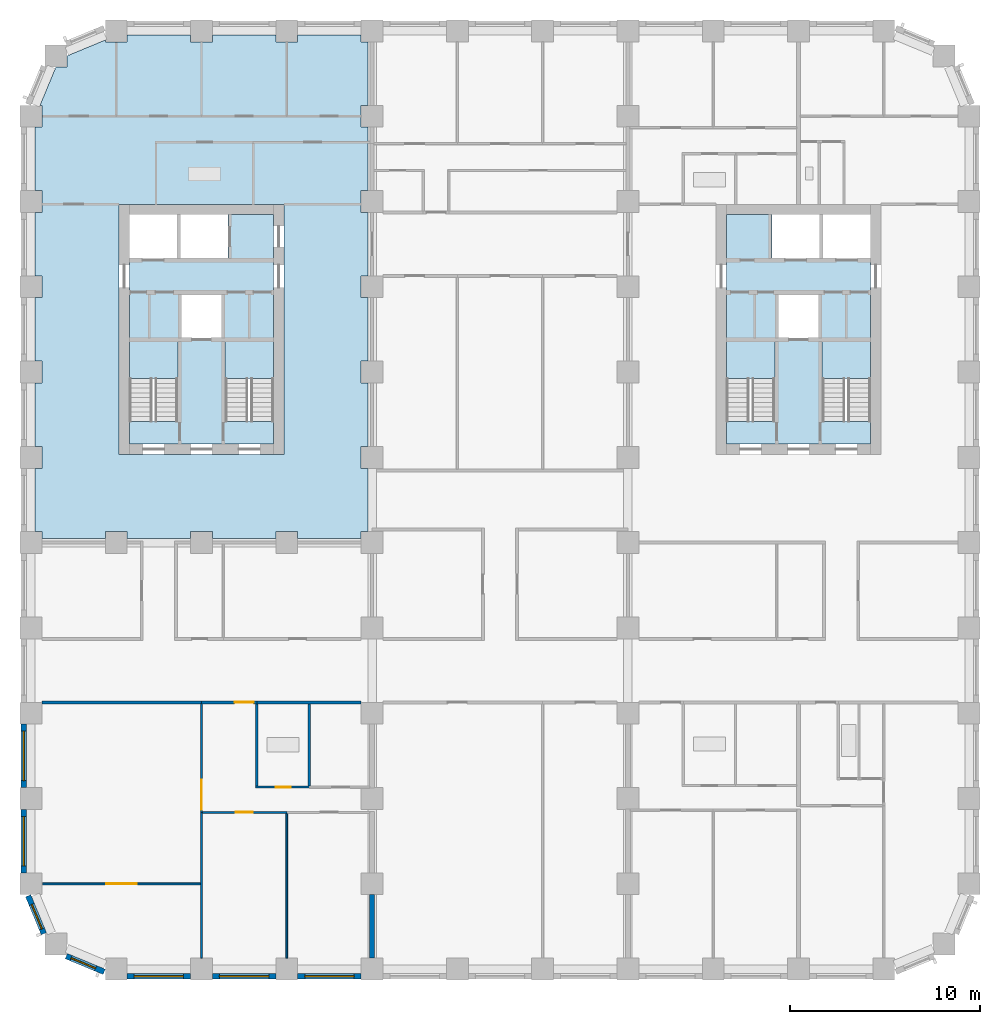
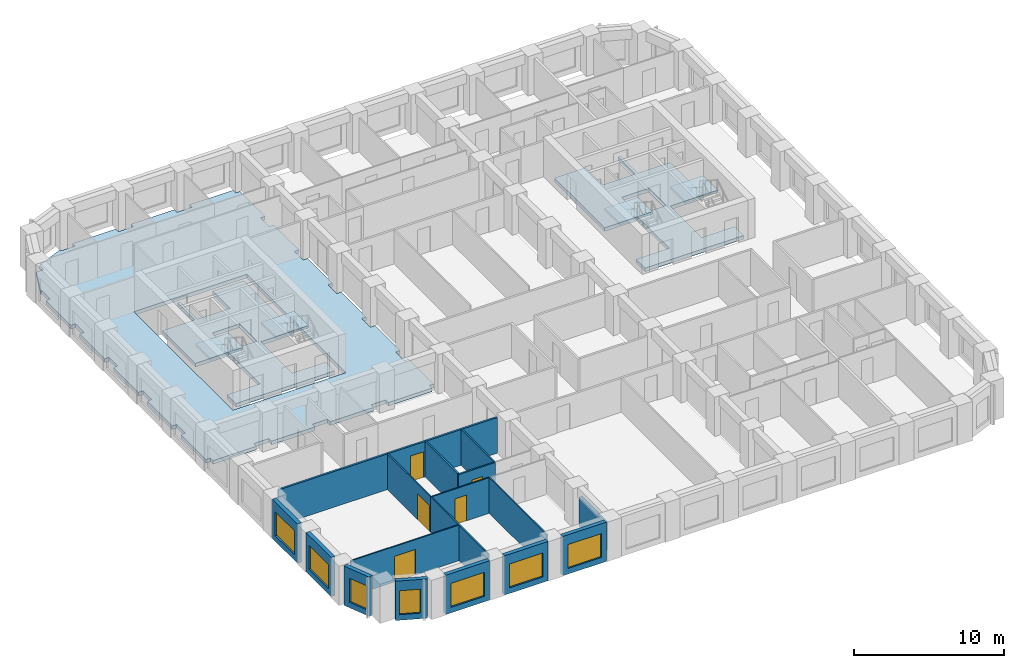
# One storey, part 2 of 13: 19 walls, 7 slabs, 7 windows, 5 doors, 12 openings, 4 elements without a shape of their own.
"""IFC4 building model written with IfcOpenShell, lengths in metres."""

from ifc_helpers import new_model, si_unit, direction, frame, frame_2d, origin, place, context, subcontext, project, spatial, polyline, rectangle, outline, extrude, material, layer, layer_set, type_object, element, fill, aggregate, save


model = new_model("IFC4")

# Units and contexts
model_context = context("Model", 3, precision=1e-05, world=origin(), true_north=direction((0.0, 1.0)))
body_context = subcontext(model_context, "Body", "Model", "MODEL_VIEW")
ifc_project = project(units=[si_unit("LENGTHUNIT", "METRE"), si_unit("AREAUNIT", "SQUARE_METRE"), si_unit("VOLUMEUNIT", "CUBIC_METRE"), si_unit("PLANEANGLEUNIT", "RADIAN"), si_unit("MASSUNIT", "GRAM", prefix="KILO")], contexts=[model_context])

# Site, building, storey
site_placement = place(None, origin())
site = spatial("IfcSite", under=ifc_project, at=site_placement, CompositionType="ELEMENT")
building_placement = place(site_placement, origin())
building = spatial("IfcBuilding", under=site, at=building_placement, Name="Girih Gate Residences", CompositionType="ELEMENT")
storey_placement = place(building_placement, frame((0.0, 0.0, 92.800048828125)))
storey = spatial("IfcBuildingStorey", under=building, at=storey_placement, Name="L25", CompositionType="ELEMENT", Elevation=92.800048828125)

# Slabs
ifc_material_1 = material(Name="Concrete C40/50", Category="concrete")
ifc_layer_1 = layer(ifc_material_1, 0.300048828125)
ifc_layer_set_1 = layer_set([ifc_layer_1], Name="Core floor slab 300")
slab_type_1 = type_object("IfcSlabType", Name="Core floor slab 300", PredefinedType="FLOOR", material=ifc_layer_set_1)
slab_1_placement = place(storey_placement, frame((0.0, 0.0, -0.300048828125)))
element("IfcSlab", 1, at=slab_1_placement, inside=storey, type_object=slab_type_1, Name="L25 W core floor", PredefinedType="FLOOR", context=body_context, shape_type="SweptSolid", body=[
    extrude(outline(polyline([(12.800048828125, 27.699951171875), (5.199951171875, 27.699951171875), (5.199951171875, 28.900634765625), (7.75, 28.900634765625), (7.75, 33.10009765625), (5.199951171875, 33.10009765625), (5.199951171875, 37.5), (7.699951171875, 37.5), (7.699951171875, 39.800048828125), (7.89990234375, 39.800048828125), (7.89990234375, 37.5), (10.39990234375, 37.5), (10.39990234375, 39.800048828125), (12.800048828125, 39.800048828125), (12.800048828125, 33.10009765625), (10.25, 33.10009765625), (10.25, 28.900634765625), (12.800048828125, 28.900634765625), (12.800048828125, 27.699951171875)]), holes=[polyline([(7.949951171875, 33.300048828125), (10.050048828125, 33.300048828125), (10.050048828125, 35.60009765625), (7.949951171875, 35.60009765625), (7.949951171875, 33.300048828125)])]), origin(), (0.0, 0.0, 1.0), 0.300048828125),
])
slab_2_placement = place(storey_placement, frame((0.0, 0.0, -0.300048828125)))
element("IfcSlab", 2, at=slab_2_placement, inside=storey, type_object=slab_type_1, Name="L25 E core floor", PredefinedType="FLOOR", context=body_context, shape_type="SweptSolid", body=[
    extrude(outline(polyline([(44.300048828125, 27.699951171875), (36.699951171875, 27.699951171875), (36.699951171875, 28.900634765625), (39.25, 28.900634765625), (39.25, 33.10009765625), (36.699951171875, 33.10009765625), (36.699951171875, 39.800048828125), (39.10009765625, 39.800048828125), (39.10009765625, 37.5), (41.60009765625, 37.5), (41.60009765625, 39.800048828125), (41.800048828125, 39.800048828125), (41.800048828125, 37.5), (44.300048828125, 37.5), (44.300048828125, 33.10009765625), (41.75, 33.10009765625), (41.75, 28.900634765625), (44.300048828125, 28.900634765625), (44.300048828125, 27.699951171875)]), holes=[polyline([(39.449951171875, 33.300048828125), (41.550048828125, 33.300048828125), (41.550048828125, 35.60009765625), (39.449951171875, 35.60009765625), (39.449951171875, 33.300048828125)])]), origin(), (0.0, 0.0, 1.0), 0.300048828125),
])
ifc_layer_2 = layer(ifc_material_1, 0.300048828125)
ifc_layer_set_2 = layer_set([ifc_layer_2], Name="Floor slab PT 300 Concrete C40/50")
slab_type_2 = type_object("IfcSlabType", Name="Floor slab PT 300 Concrete C40/50", PredefinedType="FLOOR", material=ifc_layer_set_2)
slab_3_placement = place(storey_placement, frame((0.0, 0.0, -0.300048828125)))
element("IfcSlab", 3, at=slab_3_placement, inside=storey, type_object=slab_type_2, Name="Floor slab L25 3", PredefinedType="FLOOR", context=body_context, shape_type="SweptSolid", body=[
    extrude(outline(polyline([(0.22509765625, 26.425048828125), (0.22509765625, 23.074951171875), (0.574951171875, 23.074951171875), (0.574951171875, 22.72509765625), (3.925048828125, 22.72509765625), (3.925048828125, 23.074951171875), (5.074951171875, 23.074951171875), (5.074951171875, 22.72509765625), (8.425048828125, 22.72509765625), (8.425048828125, 23.074951171875), (9.574951171875, 23.074951171875), (9.574951171875, 22.72509765625), (12.925048828125, 22.72509765625), (12.925048828125, 23.074951171875), (14.074951171875, 23.074951171875), (14.074951171875, 22.72509765625), (17.425048828125, 22.72509765625), (17.425048828125, 23.074951171875), (17.77490234375, 23.074951171875), (17.77490234375, 26.425048828125), (17.425048828125, 26.425048828125), (17.425048828125, 27.574951171875), (17.77490234375, 27.574951171875), (17.77490234375, 30.925048828125), (17.425048828125, 30.925048828125), (17.425048828125, 32.074951171875), (17.77490234375, 32.074951171875), (17.77490234375, 35.425048828125), (17.425048828125, 35.425048828125), (17.425048828125, 36.574951171875), (17.77490234375, 36.574951171875), (17.77490234375, 39.925048828125), (17.425048828125, 39.925048828125), (17.425048828125, 41.074951171875), (17.77490234375, 41.074951171875), (17.77490234375, 44.425048828125), (17.425048828125, 44.425048828125), (17.425048828125, 45.574951171875), (17.77490234375, 45.574951171875), (17.77490234375, 48.925048828125), (17.425048828125, 48.925048828125), (17.425048828125, 49.27490234375), (14.074951171875, 49.27490234375), (14.074951171875, 48.925048828125), (12.925048828125, 48.925048828125), (12.925048828125, 49.27490234375), (9.574951171875, 49.27490234375), (9.574951171875, 48.925048828125), (8.425048828125, 48.925048828125), (8.425048828125, 49.27490234375), (5.074951171875, 49.27490234375), (5.074951171875, 48.925048828125), (3.925048828125, 48.925048828125), (3.925048828125, 49.018310546875), (1.89306640625, 48.176513671875), (1.89306640625, 47.60693359375), (1.323486328125, 47.60693359375), (0.481689453125, 45.574951171875), (0.574951171875, 45.574951171875), (0.574951171875, 44.425048828125), (0.22509765625, 44.425048828125), (0.22509765625, 41.074951171875), (0.574951171875, 41.074951171875), (0.574951171875, 39.925048828125), (0.22509765625, 39.925048828125), (0.22509765625, 36.574951171875), (0.574951171875, 36.574951171875), (0.574951171875, 35.425048828125), (0.22509765625, 35.425048828125), (0.22509765625, 32.074951171875), (0.574951171875, 32.074951171875), (0.574951171875, 30.925048828125), (0.22509765625, 30.925048828125), (0.22509765625, 27.574951171875), (0.574951171875, 27.574951171875), (0.574951171875, 26.425048828125), (0.22509765625, 26.425048828125)]), holes=[polyline([(13.35009765625, 40.35009765625), (13.35009765625, 27.14990234375), (4.64990234375, 27.14990234375), (4.64990234375, 40.35009765625), (13.35009765625, 40.35009765625)])]), origin(), (0.0, 0.0, 1.0), 0.300048828125),
])

# Stair, slab
stair_type = type_object("IfcStairType", Name="Exit stair", PredefinedType="HALF_TURN_STAIR", material=ifc_material_1)
stair_1_placement = place(storey_placement, origin())
stair_1 = element("IfcStair", 4, at=stair_1_placement, inside=storey, type_object=stair_type, Name="L25 Exit Stair ST-W1", PredefinedType="HALF_TURN_STAIR")
ifc_layer_3 = layer(ifc_material_1, 0.199951171875)
ifc_layer_set_3 = layer_set([ifc_layer_3], Name="Stair landing 200")
slab_type_3 = type_object("IfcSlabType", Name="Stair landing 200", PredefinedType="LANDING", material=ifc_layer_set_3)
slab_4_placement = place(storey_placement, frame((0.0, 0.0, 1.39990234375)))
slab_4 = element("IfcSlab", 5, at=slab_4_placement, type_object=slab_type_3, Name="ST-W1 landing 1", PredefinedType="LANDING", context=body_context, shape_type="SweptSolid", body=[
    extrude(outline(polyline([(7.75, 31.14990234375), (7.75, 33.10009765625), (5.199951171875, 33.10009765625), (5.199951171875, 31.14990234375), (7.75, 31.14990234375)])), origin(), (0.0, 0.0, 1.0), 0.199951171875),
])
aggregate(stair_1, [slab_4])

stair_2_placement = place(storey_placement, origin())
stair_2 = element("IfcStair", 6, at=stair_2_placement, inside=storey, type_object=stair_type, Name="L25 Exit Stair ST-W2", PredefinedType="HALF_TURN_STAIR")
slab_5_placement = place(storey_placement, frame((0.0, 0.0, 1.39990234375)))
slab_5 = element("IfcSlab", 7, at=slab_5_placement, type_object=slab_type_3, Name="ST-W2 landing 1", PredefinedType="LANDING", context=body_context, shape_type="SweptSolid", body=[
    extrude(outline(polyline([(12.800048828125, 31.14990234375), (12.800048828125, 33.10009765625), (10.25, 33.10009765625), (10.25, 31.14990234375), (12.800048828125, 31.14990234375)])), origin(), (0.0, 0.0, 1.0), 0.199951171875),
])
aggregate(stair_2, [slab_5])

stair_3_placement = place(storey_placement, origin())
stair_3 = element("IfcStair", 8, at=stair_3_placement, inside=storey, type_object=stair_type, Name="L25 Exit Stair ST-E1", PredefinedType="HALF_TURN_STAIR")
slab_6_placement = place(storey_placement, frame((0.0, 0.0, 1.39990234375)))
slab_6 = element("IfcSlab", 9, at=slab_6_placement, type_object=slab_type_3, Name="ST-E1 landing 1", PredefinedType="LANDING", context=body_context, shape_type="SweptSolid", body=[
    extrude(outline(polyline([(44.300048828125, 31.14990234375), (44.300048828125, 33.10009765625), (41.75, 33.10009765625), (41.75, 31.14990234375), (44.300048828125, 31.14990234375)])), origin(), (0.0, 0.0, 1.0), 0.199951171875),
])
aggregate(stair_3, [slab_6])

stair_4_placement = place(storey_placement, origin())
stair_4 = element("IfcStair", 10, at=stair_4_placement, inside=storey, type_object=stair_type, Name="L25 Exit Stair ST-E2", PredefinedType="HALF_TURN_STAIR")
slab_7_placement = place(storey_placement, frame((0.0, 0.0, 1.39990234375)))
slab_7 = element("IfcSlab", 11, at=slab_7_placement, type_object=slab_type_3, Name="ST-E2 landing 1", PredefinedType="LANDING", context=body_context, shape_type="SweptSolid", body=[
    extrude(outline(polyline([(39.25, 31.14990234375), (39.25, 33.10009765625), (36.699951171875, 33.10009765625), (36.699951171875, 31.14990234375), (39.25, 31.14990234375)])), origin(), (0.0, 0.0, 1.0), 0.199951171875),
])
aggregate(stair_4, [slab_7])

# Walls
ifc_material_2 = material(Name="Gypsum board on steel studs", Category="steel")
ifc_layer_4 = layer(ifc_material_2, 0.25)
ifc_layer_set_4 = layer_set([ifc_layer_4], Name="Acoustic separating wall 250 mm")
wall_type_1 = type_object("IfcWallType", Name="Acoustic separating wall 250 mm", PredefinedType="PARTITIONING", material=ifc_layer_set_4)
wall_1_placement = place(storey_placement, frame((18.0, 0.574951171875, 0.0), z_axis=(0.0, 0.0, 1.0), x_axis=(0.0, 1.0, 0.0)))
element("IfcWall", 12, at=wall_1_placement, inside=storey, type_object=wall_type_1, Name="L25 partition", PredefinedType="PARTITIONING", context=body_context, shape_type="SweptSolid", body=[
    extrude(rectangle(XDim=3.35009765625, YDim=0.25, at=frame_2d((1.675048828125, 0.0))), origin(), (0.0, 0.0, 1.0), 2.3798828125),
])
ifc_layer_5 = layer(ifc_material_2, 0.14990234375)
ifc_layer_set_5 = layer_set([ifc_layer_5], Name="Compartment wall 150 mm")
wall_type_2 = type_object("IfcWallType", Name="Compartment wall 150 mm", PredefinedType="PARTITIONING", material=ifc_layer_set_5)
wall_2_placement = place(storey_placement, frame((11.925048828125, 14.074951171875, 0.0), z_axis=(0.0, 0.0, 1.0), x_axis=(1.0, 0.0, 0.0)))
element("IfcWall", 13, at=wall_2_placement, inside=storey, type_object=wall_type_2, Name="L25 partition", PredefinedType="PARTITIONING", context=body_context, shape_type="SweptSolid", body=[
    extrude(rectangle(XDim=5.5, YDim=0.14990234375, at=frame_2d((2.75, 0.0))), origin(), (0.0, 0.0, 1.0), 2.89990234375),
])
wall_3_placement = place(storey_placement, frame((0.574951171875, 14.074951171875, 0.0), z_axis=(0.0, 0.0, 1.0), x_axis=(1.0, 0.0, 0.0)))
element("IfcWall", 14, at=wall_3_placement, inside=storey, type_object=wall_type_2, Name="L25 partition", PredefinedType="PARTITIONING", context=body_context, shape_type="SweptSolid", body=[
    extrude(rectangle(XDim=8.425048828125, YDim=0.14990234375, at=frame_2d((4.21240234375, 0.0))), origin(), (0.0, 0.0, 1.0), 2.89990234375),
])

# Wall, opening, door
wall_4_placement = place(storey_placement, frame((11.925048828125, 14.074951171875, 0.0), z_axis=(0.0, 0.0, 1.0), x_axis=(-1.0, 0.0, 0.0)))
wall_4 = element("IfcWall", 15, at=wall_4_placement, inside=storey, type_object=wall_type_2, Name="L25 partition", PredefinedType="PARTITIONING", context=body_context, shape_type="SweptSolid", body=[
    extrude(rectangle(XDim=2.925048828125, YDim=0.14990234375, at=frame_2d((1.46240234375, 0.0))), origin(), (0.0, 0.0, 1.0), 2.89990234375),
])
opening_1_placement = place(wall_4_placement, frame((0.175048828125, 0.0, 0.0)))
opening_1 = element("IfcOpeningElement", 16, at=opening_1_placement, cuts=wall_4, Name="Opening A25-007", PredefinedType="OPENING", context=body_context, shape_type="SweptSolid", body=[
    extrude(rectangle(XDim=1.0, YDim=2.10009765625, at=frame_2d((0.5, 1.050048828125))), frame((0.0, 0.0849609375, 0.0), z_axis=(0.0, -1.0, 0.0), x_axis=(1.0, 0.0, 0.0)), (0.0, 0.0, 1.0), 0.169921875),
])
ifc_material_3 = material(Name="Timber, fire-rated core", Category="wood")
door_type_1 = type_object("IfcDoorType", Name="Flat entrance door 1000x2100 FD30S", OperationType="NOTDEFINED", PredefinedType="DOOR", material=ifc_material_3)
door_1_placement = place(opening_1_placement, origin())
door_1 = element("IfcDoor", 17, at=door_1_placement, inside=storey, type_object=door_type_1, Name="Door A25-007", OperationType="SINGLE_SWING_LEFT", OverallHeight=2.10009765625, OverallWidth=1.0, PredefinedType="DOOR", context=body_context, shape_type="SweptSolid", body=[
    extrude(rectangle(XDim=1.0, YDim=2.10009765625, at=frame_2d((0.5, 1.050048828125))), frame((0.0, 0.02490234375, 0.0), z_axis=(0.0, -1.0, 0.0), x_axis=(1.0, 0.0, 0.0)), (0.0, 0.0, 1.0), 0.050048828125),
])
fill(opening_1, door_1)

# Wall
ifc_layer_6 = layer(ifc_material_2, 0.10009765625)
ifc_layer_set_6 = layer_set([ifc_layer_6], Name="Partition 100 mm")
wall_type_3 = type_object("IfcWallType", Name="Partition 100 mm", PredefinedType="PARTITIONING", material=ifc_layer_set_6)
wall_5_placement = place(storey_placement, frame((13.5, 0.574951171875, 0.0), z_axis=(0.0, 0.0, 1.0), x_axis=(0.0, 1.0, 0.0)))
element("IfcWall", 18, at=wall_5_placement, inside=storey, type_object=wall_type_3, Name="L25 partition", PredefinedType="PARTITIONING", context=body_context, shape_type="SweptSolid", body=[
    extrude(rectangle(XDim=7.64013671875, YDim=0.10009765625, at=frame_2d((3.820068359375, 0.0))), origin(), (0.0, 0.0, 1.0), 2.89990234375),
])

# Wall, opening, door
wall_6_placement = place(storey_placement, frame((13.5, 8.264892578125, 0.0), z_axis=(0.0, 0.0, 1.0), x_axis=(-1.0, 0.0, 0.0)))
wall_6 = element("IfcWall", 19, at=wall_6_placement, inside=storey, type_object=wall_type_3, Name="L25 partition", PredefinedType="PARTITIONING", context=body_context, shape_type="SweptSolid", body=[
    extrude(rectangle(XDim=4.449951171875, YDim=0.10009765625, at=frame_2d((2.22509765625, 0.0))), origin(), (0.0, 0.0, 1.0), 2.89990234375),
])
opening_2_placement = place(wall_6_placement, frame((1.800048828125, 0.0, 0.0)))
opening_2 = element("IfcOpeningElement", 20, at=opening_2_placement, cuts=wall_6, Name="Opening A25-002", PredefinedType="OPENING", context=body_context, shape_type="SweptSolid", body=[
    extrude(rectangle(XDim=0.89990234375, YDim=2.10009765625, at=frame_2d((0.449951171875, 1.050048828125))), frame((0.0, 0.06005859375, 0.0), z_axis=(0.0, -1.0, 0.0), x_axis=(1.0, 0.0, 0.0)), (0.0, 0.0, 1.0), 0.1201171875),
])
ifc_material_4 = material(Name="Timber", Category="wood")
door_type_2 = type_object("IfcDoorType", Name="Bedroom door 900x2100", OperationType="NOTDEFINED", PredefinedType="DOOR", material=ifc_material_4)
door_2_placement = place(opening_2_placement, origin())
door_2 = element("IfcDoor", 21, at=door_2_placement, inside=storey, type_object=door_type_2, Name="Door A25-002", OperationType="SINGLE_SWING_RIGHT", OverallHeight=2.10009765625, OverallWidth=0.89990234375, PredefinedType="DOOR", context=body_context, shape_type="SweptSolid", body=[
    extrude(rectangle(XDim=0.89990234375, YDim=2.10009765625, at=frame_2d((0.449951171875, 1.050048828125))), frame((0.0, 0.02490234375, 0.0), z_axis=(0.0, -1.0, 0.0), x_axis=(1.0, 0.0, 0.0)), (0.0, 0.0, 1.0), 0.050048828125),
])
fill(opening_2, door_2)

# Wall
wall_7_placement = place(storey_placement, frame((9.0, 0.574951171875, 0.0), z_axis=(0.0, 0.0, 1.0), x_axis=(0.0, 1.0, 0.0)))
element("IfcWall", 22, at=wall_7_placement, inside=storey, type_object=wall_type_3, Name="L25 partition", PredefinedType="PARTITIONING", context=body_context, shape_type="SweptSolid", body=[
    extrude(rectangle(XDim=7.68994140625, YDim=0.10009765625, at=frame_2d((3.844970703125, 0.0))), origin(), (0.0, 0.0, 1.0), 2.89990234375),
])

# Wall, opening, door
wall_8_placement = place(storey_placement, frame((9.0, 8.264892578125, 0.0), z_axis=(0.0, 0.0, 1.0), x_axis=(0.0, 1.0, 0.0)))
wall_8 = element("IfcWall", 23, at=wall_8_placement, inside=storey, type_object=wall_type_3, Name="L25 partition", PredefinedType="PARTITIONING", context=body_context, shape_type="SweptSolid", body=[
    extrude(rectangle(XDim=5.735107421875, YDim=0.10009765625, at=frame_2d((2.86767578125, 0.0))), origin(), (0.0, 0.0, 1.0), 2.89990234375),
])
opening_3_placement = place(wall_8_placement, frame((0.1298828125, 0.0, 0.0)))
opening_3 = element("IfcOpeningElement", 24, at=opening_3_placement, cuts=wall_8, Name="Opening A25-004", PredefinedType="OPENING", context=body_context, shape_type="SweptSolid", body=[
    extrude(rectangle(XDim=1.60009765625, YDim=2.10009765625, at=frame_2d((0.800048828125, 1.050048828125))), frame((0.0, 0.06005859375, 0.0), z_axis=(0.0, -1.0, 0.0), x_axis=(1.0, 0.0, 0.0)), (0.0, 0.0, 1.0), 0.1201171875),
])
door_type_3 = type_object("IfcDoorType", Name="Double leaf door 1600x2100", OperationType="NOTDEFINED", PredefinedType="DOOR", material=ifc_material_4)
door_3_placement = place(opening_3_placement, origin())
door_3 = element("IfcDoor", 25, at=door_3_placement, inside=storey, type_object=door_type_3, Name="Door A25-004", OperationType="SINGLE_SWING_LEFT", OverallHeight=2.10009765625, OverallWidth=1.60009765625, PredefinedType="DOOR", context=body_context, shape_type="SweptSolid", body=[
    extrude(rectangle(XDim=1.60009765625, YDim=2.10009765625, at=frame_2d((0.800048828125, 1.050048828125))), frame((0.0, 0.02490234375, 0.0), z_axis=(0.0, -1.0, 0.0), x_axis=(1.0, 0.0, 0.0)), (0.0, 0.0, 1.0), 0.050048828125),
])
fill(opening_3, door_3)

wall_9_placement = place(storey_placement, frame((0.622314453125, 4.5, 0.0), z_axis=(0.0, 0.0, 1.0), x_axis=(1.0, 0.0, 0.0)))
wall_9 = element("IfcWall", 26, at=wall_9_placement, inside=storey, type_object=wall_type_3, Name="L25 partition", PredefinedType="PARTITIONING", context=body_context, shape_type="SweptSolid", body=[
    extrude(rectangle(XDim=8.32763671875, YDim=0.10009765625, at=frame_2d((4.163818359375, 0.0))), origin(), (0.0, 0.0, 1.0), 2.89990234375),
])
opening_4_placement = place(wall_9_placement, frame((3.364990234375, 0.0, 0.0)))
opening_4 = element("IfcOpeningElement", 27, at=opening_4_placement, cuts=wall_9, Name="Opening A25-005", PredefinedType="OPENING", context=body_context, shape_type="SweptSolid", body=[
    extrude(rectangle(XDim=1.60009765625, YDim=2.10009765625, at=frame_2d((0.800048828125, 1.050048828125))), frame((0.0, 0.06005859375, 0.0), z_axis=(0.0, -1.0, 0.0), x_axis=(1.0, 0.0, 0.0)), (0.0, 0.0, 1.0), 0.1201171875),
])
door_4_placement = place(opening_4_placement, origin())
door_4 = element("IfcDoor", 28, at=door_4_placement, inside=storey, type_object=door_type_3, Name="Door A25-005", OperationType="SINGLE_SWING_RIGHT", OverallHeight=2.10009765625, OverallWidth=1.60009765625, PredefinedType="DOOR", context=body_context, shape_type="SweptSolid", body=[
    extrude(rectangle(XDim=1.60009765625, YDim=2.10009765625, at=frame_2d((0.800048828125, 1.050048828125))), frame((0.0, 0.02490234375, 0.0), z_axis=(0.0, -1.0, 0.0), x_axis=(1.0, 0.0, 0.0)), (0.0, 0.0, 1.0), 0.050048828125),
])
fill(opening_4, door_4)

# Wall, opening, window
ifc_material_5 = material(Name="Precast concrete C50/60", Category="concrete")
ifc_layer_7 = layer(ifc_material_5, 0.080078125, Name="Outer leaf")
ifc_material_6 = material(Name="Rigid PIR insulation")
ifc_layer_8 = layer(ifc_material_6, 0.14990234375, Name="Insulation")
ifc_material_7 = material(Name="Precast concrete C40/50", Category="concrete")
ifc_layer_9 = layer(ifc_material_7, 0.070068359375, Name="Inner leaf")
ifc_layer_set_7 = layer_set([ifc_layer_7, ifc_layer_8, ifc_layer_9], Name="Precast concrete C50/60 external wall 300")
wall_type_4 = type_object("IfcWallType", Name="Precast concrete C50/60 external wall 300", PredefinedType="SOLIDWALL", material=ifc_layer_set_7)
wall_10_placement = place(storey_placement, frame((0.68408203125, 1.86865234375, 0.0), z_axis=(0.0, 0.0, 1.0), x_axis=(-0.382723818695, 0.923862802911, 0.0)))
wall_10 = element("IfcWall", 29, at=wall_10_placement, inside=storey, type_object=wall_type_4, Name="External wall SW0000_0045.0", PredefinedType="SOLIDWALL", context=body_context, shape_type="SweptSolid", body=[
    extrude(rectangle(XDim=2.163818359375, YDim=0.300048828125, at=frame_2d((1.08203125, 0.0))), origin(), (0.0, 0.0, 1.0), 3.199951171875),
])
opening_5_placement = place(wall_10_placement, frame((0.270751953125, 0.0, 0.449951171875)))
opening_5 = element("IfcOpeningElement", 30, at=opening_5_placement, cuts=wall_10, Name="Opening W-2D", PredefinedType="OPENING", context=body_context, shape_type="SweptSolid", body=[
    extrude(rectangle(XDim=1.39990234375, YDim=1.949951171875, at=frame_2d((0.699951171875, 0.97509765625))), frame((0.0, 0.159912109375, 0.0), z_axis=(0.0, -1.0, 0.0), x_axis=(1.0, 0.0, 0.0)), (0.0, 0.0, 1.0), 0.320068359375),
])
ifc_material_8 = material(Name="Double glazing in aluminium frame", Category="aluminium")
window_type_1 = type_object("IfcWindowType", Name="Window W-2D 1400x1950", PartitioningType="SINGLE_PANEL", PredefinedType="WINDOW", material=ifc_material_8)
window_1_placement = place(opening_5_placement, origin())
window_1 = element("IfcWindow", 31, at=window_1_placement, inside=storey, type_object=window_type_1, Name="Window W-2D SW0000_0045.0", OverallHeight=1.949951171875, OverallWidth=1.39990234375, PartitioningType="SINGLE_PANEL", PredefinedType="WINDOW", context=body_context, shape_type="SweptSolid", body=[
    extrude(rectangle(XDim=1.39990234375, YDim=1.949951171875, at=frame_2d((0.699951171875, 0.97509765625))), frame((0.0, 0.030029296875, 0.0), z_axis=(0.0, -1.0, 0.0), x_axis=(1.0, 0.0, 0.0)), (0.0, 0.0, 1.0), 0.06005859375),
])
fill(opening_5, window_1)

wall_11_placement = place(storey_placement, frame((3.86767578125, -0.14404296875, 0.0), z_axis=(0.0, 0.0, 1.0), x_axis=(-0.923862802911, 0.382723818695, 0.0)))
wall_11 = element("IfcWall", 32, at=wall_11_placement, inside=storey, type_object=wall_type_4, Name="External wall SW0013_0013.0", PredefinedType="SOLIDWALL", context=body_context, shape_type="SweptSolid", body=[
    extrude(rectangle(XDim=2.163818359375, YDim=0.300048828125, at=frame_2d((1.08203125, 0.0))), origin(), (0.0, 0.0, 1.0), 3.199951171875),
])
opening_6_placement = place(wall_11_placement, frame((0.492919921875, 0.0, 0.449951171875)))
opening_6 = element("IfcOpeningElement", 33, at=opening_6_placement, cuts=wall_11, Name="Opening W-2D", PredefinedType="OPENING", context=body_context, shape_type="SweptSolid", body=[
    extrude(rectangle(XDim=1.39990234375, YDim=1.949951171875, at=frame_2d((0.699951171875, 0.97509765625))), frame((0.0, 0.159912109375, 0.0), z_axis=(0.0, -1.0, 0.0), x_axis=(1.0, 0.0, 0.0)), (0.0, 0.0, 1.0), 0.320068359375),
])
window_2_placement = place(opening_6_placement, origin())
window_2 = element("IfcWindow", 34, at=window_2_placement, inside=storey, type_object=window_type_1, Name="Window W-2D SW0013_0013.0", OverallHeight=1.949951171875, OverallWidth=1.39990234375, PartitioningType="SINGLE_PANEL", PredefinedType="WINDOW", context=body_context, shape_type="SweptSolid", body=[
    extrude(rectangle(XDim=1.39990234375, YDim=1.949951171875, at=frame_2d((0.699951171875, 0.97509765625))), frame((0.0, 0.030029296875, 0.0), z_axis=(0.0, -1.0, 0.0), x_axis=(1.0, 0.0, 0.0)), (0.0, 0.0, 1.0), 0.06005859375),
])
fill(opening_6, window_2)

wall_12_placement = place(storey_placement, frame((8.425048828125, -0.375, 0.0), z_axis=(0.0, 0.0, 1.0), x_axis=(-1.0, 0.0, 0.0)))
wall_12 = element("IfcWall", 35, at=wall_12_placement, inside=storey, type_object=wall_type_4, Name="External wall S0045_0000.0", PredefinedType="SOLIDWALL", context=body_context, shape_type="SweptSolid", body=[
    extrude(rectangle(XDim=3.35009765625, YDim=0.300048828125, at=frame_2d((1.675048828125, 0.0))), origin(), (0.0, 0.0, 1.0), 3.199951171875),
])
opening_7_placement = place(wall_12_placement, frame((0.375, 0.0, 0.449951171875)))
opening_7 = element("IfcOpeningElement", 36, at=opening_7_placement, cuts=wall_12, Name="Opening W-1A", PredefinedType="OPENING", context=body_context, shape_type="SweptSolid", body=[
    extrude(rectangle(XDim=2.60009765625, YDim=1.949951171875, at=frame_2d((1.300048828125, 0.97509765625))), frame((0.0, 0.159912109375, 0.0), z_axis=(0.0, -1.0, 0.0), x_axis=(1.0, 0.0, 0.0)), (0.0, 0.0, 1.0), 0.320068359375),
])
window_type_2 = type_object("IfcWindowType", Name="Window W-1A 2600x1950", PartitioningType="SINGLE_PANEL", PredefinedType="WINDOW", material=ifc_material_8)
window_3_placement = place(opening_7_placement, origin())
window_3 = element("IfcWindow", 37, at=window_3_placement, inside=storey, type_object=window_type_2, Name="Window W-1A S0045_0000.0", OverallHeight=1.949951171875, OverallWidth=2.60009765625, PartitioningType="SINGLE_PANEL", PredefinedType="WINDOW", context=body_context, shape_type="SweptSolid", body=[
    extrude(rectangle(XDim=2.60009765625, YDim=1.949951171875, at=frame_2d((1.300048828125, 0.97509765625))), frame((0.0, 0.030029296875, 0.0), z_axis=(0.0, -1.0, 0.0), x_axis=(1.0, 0.0, 0.0)), (0.0, 0.0, 1.0), 0.06005859375),
])
fill(opening_7, window_3)

wall_13_placement = place(storey_placement, frame((12.925048828125, -0.375, 0.0), z_axis=(0.0, 0.0, 1.0), x_axis=(-1.0, 0.0, 0.0)))
wall_13 = element("IfcWall", 38, at=wall_13_placement, inside=storey, type_object=wall_type_4, Name="External wall S0045_0000.1", PredefinedType="SOLIDWALL", context=body_context, shape_type="SweptSolid", body=[
    extrude(rectangle(XDim=3.35009765625, YDim=0.300048828125, at=frame_2d((1.675048828125, 0.0))), origin(), (0.0, 0.0, 1.0), 3.199951171875),
])
opening_8_placement = place(wall_13_placement, frame((0.375, 0.0, 0.449951171875)))
opening_8 = element("IfcOpeningElement", 39, at=opening_8_placement, cuts=wall_13, Name="Opening W-1A", PredefinedType="OPENING", context=body_context, shape_type="SweptSolid", body=[
    extrude(rectangle(XDim=2.60009765625, YDim=1.949951171875, at=frame_2d((1.300048828125, 0.97509765625))), frame((0.0, 0.159912109375, 0.0), z_axis=(0.0, -1.0, 0.0), x_axis=(1.0, 0.0, 0.0)), (0.0, 0.0, 1.0), 0.320068359375),
])
window_4_placement = place(opening_8_placement, origin())
window_4 = element("IfcWindow", 40, at=window_4_placement, inside=storey, type_object=window_type_2, Name="Window W-1A S0045_0000.1", OverallHeight=1.949951171875, OverallWidth=2.60009765625, PartitioningType="SINGLE_PANEL", PredefinedType="WINDOW", context=body_context, shape_type="SweptSolid", body=[
    extrude(rectangle(XDim=2.60009765625, YDim=1.949951171875, at=frame_2d((1.300048828125, 0.97509765625))), frame((0.0, 0.030029296875, 0.0), z_axis=(0.0, -1.0, 0.0), x_axis=(1.0, 0.0, 0.0)), (0.0, 0.0, 1.0), 0.06005859375),
])
fill(opening_8, window_4)

wall_14_placement = place(storey_placement, frame((17.425048828125, -0.375, 0.0), z_axis=(0.0, 0.0, 1.0), x_axis=(-1.0, 0.0, 0.0)))
wall_14 = element("IfcWall", 41, at=wall_14_placement, inside=storey, type_object=wall_type_4, Name="External wall S0045_0000.2", PredefinedType="SOLIDWALL", context=body_context, shape_type="SweptSolid", body=[
    extrude(rectangle(XDim=3.35009765625, YDim=0.300048828125, at=frame_2d((1.675048828125, 0.0))), origin(), (0.0, 0.0, 1.0), 3.199951171875),
])
opening_9_placement = place(wall_14_placement, frame((0.375, 0.0, 0.449951171875)))
opening_9 = element("IfcOpeningElement", 42, at=opening_9_placement, cuts=wall_14, Name="Opening W-1A", PredefinedType="OPENING", context=body_context, shape_type="SweptSolid", body=[
    extrude(rectangle(XDim=2.60009765625, YDim=1.949951171875, at=frame_2d((1.300048828125, 0.97509765625))), frame((0.0, 0.159912109375, 0.0), z_axis=(0.0, -1.0, 0.0), x_axis=(1.0, 0.0, 0.0)), (0.0, 0.0, 1.0), 0.320068359375),
])
window_5_placement = place(opening_9_placement, origin())
window_5 = element("IfcWindow", 43, at=window_5_placement, inside=storey, type_object=window_type_2, Name="Window W-1A S0045_0000.2", OverallHeight=1.949951171875, OverallWidth=2.60009765625, PartitioningType="SINGLE_PANEL", PredefinedType="WINDOW", context=body_context, shape_type="SweptSolid", body=[
    extrude(rectangle(XDim=2.60009765625, YDim=1.949951171875, at=frame_2d((1.300048828125, 0.97509765625))), frame((0.0, 0.030029296875, 0.0), z_axis=(0.0, -1.0, 0.0), x_axis=(1.0, 0.0, 0.0)), (0.0, 0.0, 1.0), 0.06005859375),
])
fill(opening_9, window_5)

wall_15_placement = place(storey_placement, frame((-0.375, 9.574951171875, 0.0), z_axis=(0.0, 0.0, 1.0), x_axis=(0.0, 1.0, 0.0)))
wall_15 = element("IfcWall", 44, at=wall_15_placement, inside=storey, type_object=wall_type_4, Name="External wall W0000_0450.7", PredefinedType="SOLIDWALL", context=body_context, shape_type="SweptSolid", body=[
    extrude(rectangle(XDim=3.35009765625, YDim=0.300048828125, at=frame_2d((1.675048828125, 0.0))), origin(), (0.0, 0.0, 1.0), 3.199951171875),
])
opening_10_placement = place(wall_15_placement, frame((0.375, 0.0, 0.449951171875)))
opening_10 = element("IfcOpeningElement", 45, at=opening_10_placement, cuts=wall_15, Name="Opening W-1A", PredefinedType="OPENING", context=body_context, shape_type="SweptSolid", body=[
    extrude(rectangle(XDim=2.60009765625, YDim=1.949951171875, at=frame_2d((1.300048828125, 0.97509765625))), frame((0.0, 0.159912109375, 0.0), z_axis=(0.0, -1.0, 0.0), x_axis=(1.0, 0.0, 0.0)), (0.0, 0.0, 1.0), 0.320068359375),
])
window_6_placement = place(opening_10_placement, origin())
window_6 = element("IfcWindow", 46, at=window_6_placement, inside=storey, type_object=window_type_2, Name="Window W-1A W0000_0450.7", OverallHeight=1.949951171875, OverallWidth=2.60009765625, PartitioningType="SINGLE_PANEL", PredefinedType="WINDOW", context=body_context, shape_type="SweptSolid", body=[
    extrude(rectangle(XDim=2.60009765625, YDim=1.949951171875, at=frame_2d((1.300048828125, 0.97509765625))), frame((0.0, 0.030029296875, 0.0), z_axis=(0.0, -1.0, 0.0), x_axis=(1.0, 0.0, 0.0)), (0.0, 0.0, 1.0), 0.06005859375),
])
fill(opening_10, window_6)

wall_16_placement = place(storey_placement, frame((-0.375, 5.074951171875, 0.0), z_axis=(0.0, 0.0, 1.0), x_axis=(0.0, 1.0, 0.0)))
wall_16 = element("IfcWall", 47, at=wall_16_placement, inside=storey, type_object=wall_type_4, Name="External wall W0000_0450.8", PredefinedType="SOLIDWALL", context=body_context, shape_type="SweptSolid", body=[
    extrude(rectangle(XDim=3.35009765625, YDim=0.300048828125, at=frame_2d((1.675048828125, 0.0))), origin(), (0.0, 0.0, 1.0), 3.199951171875),
])
opening_11_placement = place(wall_16_placement, frame((0.375, 0.0, 0.449951171875)))
opening_11 = element("IfcOpeningElement", 48, at=opening_11_placement, cuts=wall_16, Name="Opening W-1A", PredefinedType="OPENING", context=body_context, shape_type="SweptSolid", body=[
    extrude(rectangle(XDim=2.60009765625, YDim=1.949951171875, at=frame_2d((1.300048828125, 0.97509765625))), frame((0.0, 0.159912109375, 0.0), z_axis=(0.0, -1.0, 0.0), x_axis=(1.0, 0.0, 0.0)), (0.0, 0.0, 1.0), 0.320068359375),
])
window_7_placement = place(opening_11_placement, origin())
window_7 = element("IfcWindow", 49, at=window_7_placement, inside=storey, type_object=window_type_2, Name="Window W-1A W0000_0450.8", OverallHeight=1.949951171875, OverallWidth=2.60009765625, PartitioningType="SINGLE_PANEL", PredefinedType="WINDOW", context=body_context, shape_type="SweptSolid", body=[
    extrude(rectangle(XDim=2.60009765625, YDim=1.949951171875, at=frame_2d((1.300048828125, 0.97509765625))), frame((0.0, 0.030029296875, 0.0), z_axis=(0.0, -1.0, 0.0), x_axis=(1.0, 0.0, 0.0)), (0.0, 0.0, 1.0), 0.06005859375),
])
fill(opening_11, window_7)

# Wall, opening, door
ifc_layer_10 = layer(ifc_material_2, 0.125)
ifc_layer_set_8 = layer_set([ifc_layer_10], Name="Wet room wall 125 mm")
wall_type_5 = type_object("IfcWallType", Name="Wet room wall 125 mm", PredefinedType="PARTITIONING", material=ifc_layer_set_8)
wall_17_placement = place(storey_placement, frame((11.862548828125, 9.60498046875, 0.0), z_axis=(0.0, 0.0, 1.0), x_axis=(1.0, 0.0, 0.0)))
wall_17 = element("IfcWall", 50, at=wall_17_placement, inside=storey, type_object=wall_type_5, Name="L25 partition", PredefinedType="PARTITIONING", context=body_context, shape_type="SweptSolid", body=[
    extrude(rectangle(XDim=2.827880859375, YDim=0.125, at=frame_2d((1.4140625, 0.0))), origin(), (0.0, 0.0, 1.0), 2.89990234375),
])
opening_12_placement = place(wall_17_placement, frame((1.04541015625, 0.0, 0.0)))
opening_12 = element("IfcOpeningElement", 51, at=opening_12_placement, cuts=wall_17, Name="Opening A25-001", PredefinedType="OPENING", context=body_context, shape_type="SweptSolid", body=[
    extrude(rectangle(XDim=0.800048828125, YDim=2.10009765625, at=frame_2d((0.39990234375, 1.050048828125))), frame((0.0, 0.072509765625, 0.0), z_axis=(0.0, -1.0, 0.0), x_axis=(1.0, 0.0, 0.0)), (0.0, 0.0, 1.0), 0.14501953125),
])
door_type_4 = type_object("IfcDoorType", Name="Bathroom door 800x2100", OperationType="NOTDEFINED", PredefinedType="DOOR", material=ifc_material_4)
door_5_placement = place(opening_12_placement, origin())
door_5 = element("IfcDoor", 52, at=door_5_placement, inside=storey, type_object=door_type_4, Name="Door A25-001", OperationType="SINGLE_SWING_RIGHT", OverallHeight=2.10009765625, OverallWidth=0.800048828125, PredefinedType="DOOR", context=body_context, shape_type="SweptSolid", body=[
    extrude(rectangle(XDim=0.800048828125, YDim=2.10009765625, at=frame_2d((0.39990234375, 1.050048828125))), frame((0.0, 0.02490234375, 0.0), z_axis=(0.0, -1.0, 0.0), x_axis=(1.0, 0.0, 0.0)), (0.0, 0.0, 1.0), 0.050048828125),
])
fill(opening_12, door_5)

# Walls
for number, where, z_axis, x_axis, name in (
    (53, (11.925048828125, 9.66748046875, 0.0), (0.0, 0.0, 1.0), (0.0, 1.0, 0.0), "L25 partition"),
    (54, (14.69091796875, 9.66748046875, 0.0), (0.0, 0.0, 1.0), (0.0, 1.0, 0.0), "L25 partition"),
):
    element("IfcWall", number, at=place(storey_placement, frame(where, z_axis=z_axis, x_axis=x_axis)), inside=storey, type_object=wall_type_5, Name=name, PredefinedType="PARTITIONING", context=body_context, shape_type="SweptSolid", body=[
        extrude(rectangle(XDim=4.33251953125, YDim=0.125, at=frame_2d((2.166259765625, 0.0))), origin(), (0.0, 0.0, 1.0), 2.89990234375),
    ])

save(model, "model.ifc")
